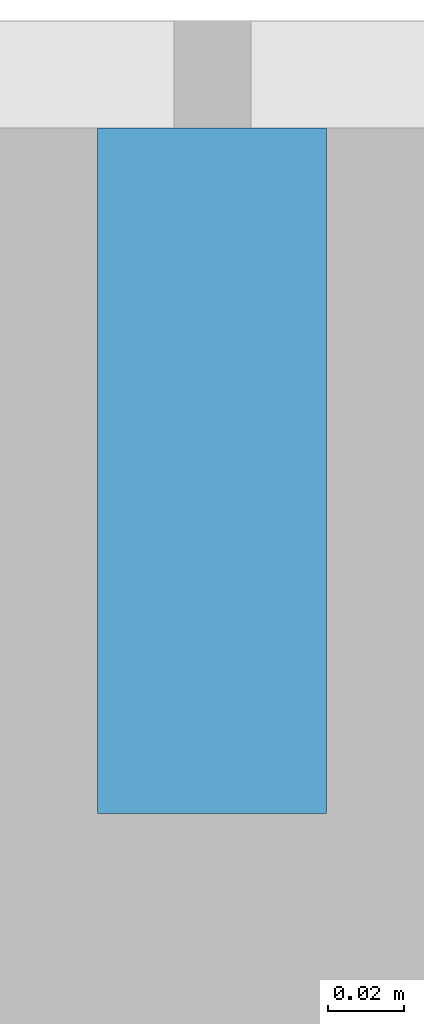
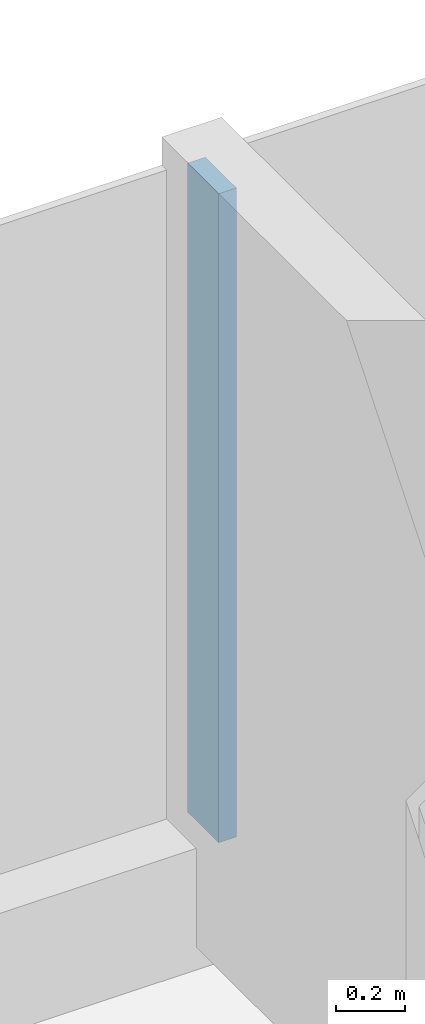
# One storey, part 8 of 26: 1 member, 1 element without a shape of its own.
"""IFC4 building model written with IfcOpenShell, lengths in metres."""

from ifc_helpers import new_model, si_unit, direction, frame, origin, origin_2d, place, context, subcontext, project, spatial, rectangle, extrude, material, layer, layer_set, material_profile, profile_set, type_object, element, aggregate, save


model = new_model("IFC4")

# Units and contexts
model_context = context("Model", 3, precision=1e-05, world=origin(), true_north=direction((0.0, 1.0)))
body_context = subcontext(model_context, "Body", "Model", "MODEL_VIEW")
ifc_project = project(units=[si_unit("LENGTHUNIT", "METRE"), si_unit("AREAUNIT", "SQUARE_METRE"), si_unit("VOLUMEUNIT", "CUBIC_METRE"), si_unit("PLANEANGLEUNIT", "RADIAN"), si_unit("MASSUNIT", "GRAM", prefix="KILO")], contexts=[model_context])

# Site, building, storey
site_placement = place(None, origin())
site = spatial("IfcSite", under=ifc_project, at=site_placement, CompositionType="ELEMENT")
building_placement = place(site_placement, origin())
building = spatial("IfcBuilding", under=site, at=building_placement, Name="Hakoniwa Tower and Hamabe Station Hall", CompositionType="ELEMENT")
storey_placement = place(building_placement, frame((0.0, 0.0, 153.39990234375)))
storey = spatial("IfcBuildingStorey", under=building, at=storey_placement, Name="L43", CompositionType="ELEMENT", Elevation=153.39990234375)

# Curtain wall, member
ifc_material_1 = material(Name="Dark low-e laminated glass", Category="glass")
ifc_layer = layer(ifc_material_1, 0.199951171875)
ifc_layer_set = layer_set([ifc_layer], Name="CW-1 UNITISED GUEST")
curtain_wall_type = type_object("IfcCurtainWallType", Name="CW-1 UNITISED GUEST", PredefinedType="NOTDEFINED", material=ifc_layer_set)
curtain_wall_placement = place(storey_placement, origin())
curtain_wall = element("IfcCurtainWall", 1, at=curtain_wall_placement, inside=storey, type_object=curtain_wall_type, Name="CW-1 curtain wall", PredefinedType="NOTDEFINED")
ifc_material_2 = material(Name="Aluminium 6063-T5 black anodised", Category="aluminium")
ifc_material_profile = material_profile(ifc_material_2, rectangle(XDim=0.06005859375, YDim=0.179931640625, at=origin_2d()), Name="CW-1 MULLION 60X180")
ifc_profile_set = profile_set([ifc_material_profile], Name="Aluminium 6063-T5 black anodised")
member_type = type_object("IfcMemberType", Name="CW-1 MULLION 60X180", PredefinedType="MULLION", material=ifc_profile_set)
member_placement = place(storey_placement, frame((8.39990234375, 18.181884765625, 0.35009765625), z_axis=(0.0, 0.0, 1.0), x_axis=(-1.0, 0.0, 0.0)))
member = element("IfcMember", 2, at=member_placement, type_object=member_type, Name="CW-1 mullion", PredefinedType="MULLION", context=body_context, shape_type="SweptSolid", body=[
    extrude(rectangle(XDim=0.06005859375, YDim=0.179931640625, at=origin_2d()), origin(), (0.0, 0.0, 1.0), 2.300048828125),
])
aggregate(curtain_wall, [member])

save(model, "model.ifc")
